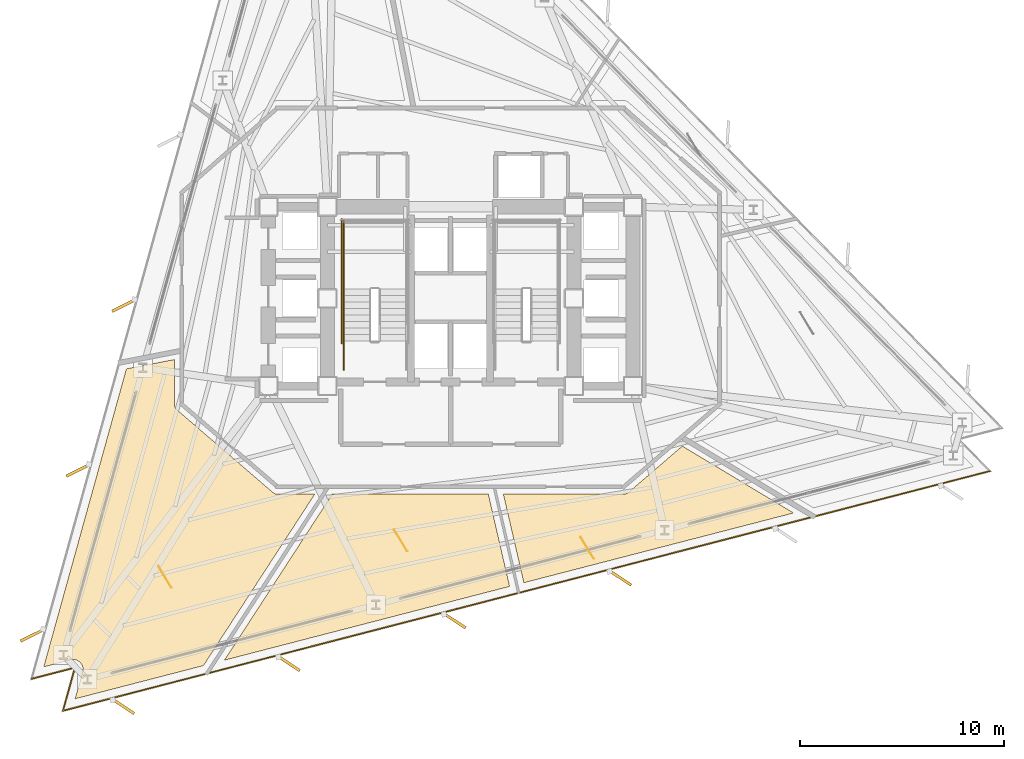
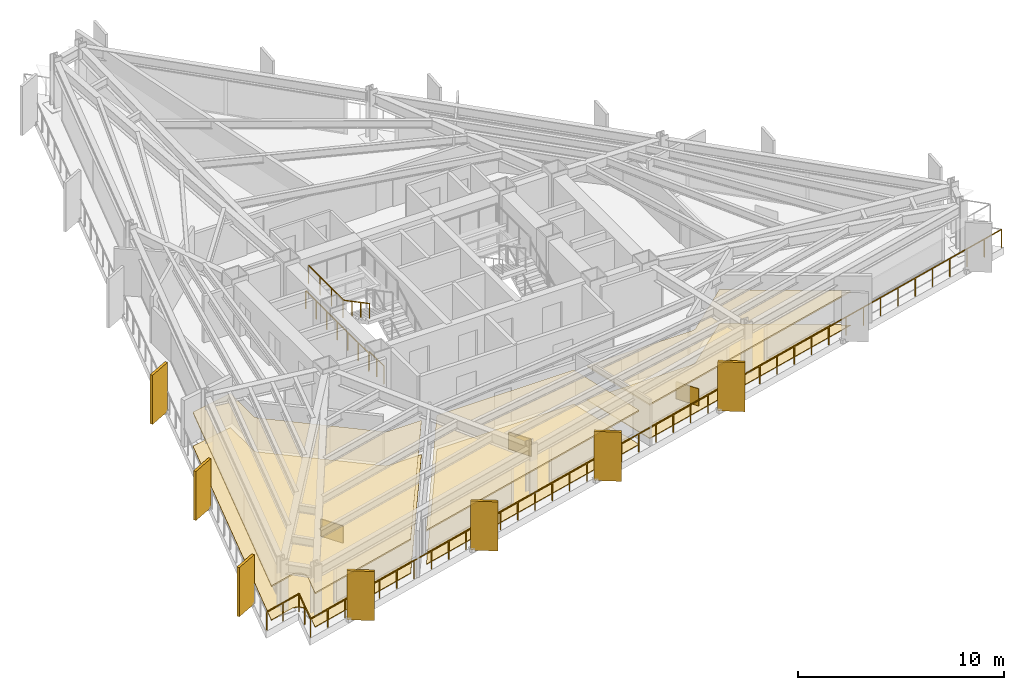
# One storey, part 9 of 11: 9 coverings, 7 shading devices, 5 railings.
"""IFC4 building model written with IfcOpenShell, lengths in metres."""

from ifc_helpers import new_model, si_unit, direction, frame, origin, origin_2d, place, context, subcontext, project, spatial, polyline, rectangle, outline, extrude, material, layer, layer_set, type_object, element, save


model = new_model("IFC4")

# Units and contexts
model_context = context("Model", 3, precision=1e-05, world=origin(), true_north=direction((0.0, 1.0)))
body_context = subcontext(model_context, "Body", "Model", "MODEL_VIEW")
ifc_project = project(units=[si_unit("LENGTHUNIT", "METRE"), si_unit("AREAUNIT", "SQUARE_METRE"), si_unit("VOLUMEUNIT", "CUBIC_METRE"), si_unit("PLANEANGLEUNIT", "RADIAN"), si_unit("MASSUNIT", "GRAM", prefix="KILO")], contexts=[model_context])

# Site, building, storey
site_placement = place(None, origin())
site = spatial("IfcSite", under=ifc_project, at=site_placement, CompositionType="ELEMENT")
building_placement = place(site_placement, origin())
building = spatial("IfcBuilding", under=site, at=building_placement, Name="Rocaltana Carrier Exchange", CompositionType="ELEMENT")
storey_placement = place(building_placement, frame((0.0, 0.0, 76.47998046875)))
storey = spatial("IfcBuildingStorey", under=building, at=storey_placement, Name="L23", CompositionType="ELEMENT", Elevation=76.47998046875)

# Coverings
ifc_material_1 = material(Name="Honed Bogota Sandstone Tile", Category="masonry")
ifc_layer_1 = layer(ifc_material_1, 0.0400390625)
ifc_layer_set_1 = layer_set([ifc_layer_1], Name="Honed Bogota Sandstone Tile")
covering_type_1 = type_object("IfcCoveringType", Name="Honed Stone Lobby Flooring 40", PredefinedType="FLOORING", material=ifc_layer_set_1)
covering_1_placement = place(storey_placement, origin())
element("IfcCovering", 1, at=covering_1_placement, inside=storey, type_object=covering_type_1, Name="L23 Peering Conference Room Finish Floor", PredefinedType="FLOORING", context=body_context, shape_type="SweptSolid", body=[
    extrude(outline(polyline([(-18.068359375, -18.33837890625), (-18.06494140625, -18.324951171875), (-18.060546875, -18.305419921875), (-18.055908203125, -18.278076171875), (-18.05322265625, -18.25830078125), (-18.051513671875, -18.230224609375), (-18.05078125, -18.21044921875), (-18.0517578125, -18.1826171875), (-18.05322265625, -18.16259765625), (-18.056884765625, -18.135009765625), (-18.060302734375, -18.115234375), (-18.066650390625, -18.088134765625), (-18.072265625, -18.069091796875), (-18.081298828125, -18.04248046875), (-18.08837890625, -18.02392578125), (-18.10009765625, -17.99853515625), (-18.109375, -17.98095703125), (-18.123291015625, -17.956787109375), (-18.13427734375, -17.940185546875), (-18.150634765625, -17.91748046875), (-18.1630859375, -17.90185546875), (-18.181640625, -17.881103515625), (-18.195556640625, -17.86669921875), (-18.216064453125, -17.847900390625), (-18.2314453125, -17.835205078125), (-18.25390625, -17.818359375), (-18.270263671875, -17.80712890625), (-18.294189453125, -17.792724609375), (-18.311767578125, -17.783203125), (-18.3369140625, -17.771240234375), (-18.355224609375, -17.763671875), (-18.381591796875, -17.754150390625), (-18.400634765625, -17.748291015625), (-18.427734375, -17.741455078125), (-18.447265625, -17.73779296875), (-18.474853515625, -17.733642578125), (-18.49462890625, -17.731689453125), (-18.522705078125, -17.73046875), (-18.54248046875, -17.73046875), (-18.5703125, -17.73193359375), (-18.59033203125, -17.73388671875), (-18.617919921875, -17.73828125), (-18.637451171875, -17.7421875), (-18.65087890625, -17.74560546875), (-19.97607421875, -18.088134765625), (-15.919677734375, -3.461181640625), (-13.56005859375, -3.00244140625), (-13.56005859375, -5.199951171875), (-13.559814453125, -5.21337890625), (-13.559326171875, -5.220947265625), (-13.556884765625, -5.24755859375), (-13.5556640625, -5.255126953125), (-13.550537109375, -5.281494140625), (-13.548828125, -5.288818359375), (-13.541259765625, -5.314453125), (-13.538818359375, -5.32177734375), (-13.52880859375, -5.346435546875), (-13.525634765625, -5.353515625), (-13.51318359375, -5.377197265625), (-13.509521484375, -5.3837890625), (-13.4951171875, -5.40625), (-13.490478515625, -5.41259765625), (-13.47412109375, -5.433349609375), (-13.468994140625, -5.439208984375), (-13.450439453125, -5.45849609375), (-13.44482421875, -5.4638671875), (-13.43505859375, -5.47265625), (-8.735107421875, -9.522705078125), (-8.72412109375, -9.53173828125), (-8.717529296875, -9.53662109375), (-8.6943359375, -9.552978515625), (-8.6875, -9.557373046875), (-8.66259765625, -9.571044921875), (-8.6552734375, -9.57470703125), (-8.629150390625, -9.5859375), (-8.62158203125, -9.5888671875), (-8.594482421875, -9.597412109375), (-8.58642578125, -9.599365234375), (-8.55859375, -9.60498046875), (-8.550537109375, -9.606201171875), (-8.522216796875, -9.609130859375), (-8.51416015625, -9.609619140625), (-8.5, -9.610107421875), (-6.670166015625, -9.610107421875), (-12.13720703125, -18.02880859375), (-18.43408203125, -19.6572265625), (-18.068359375, -18.33837890625)])), origin(), (0.0, 0.0, 1.0), 0.0400390625),
])
covering_2_placement = place(storey_placement, origin())
element("IfcCovering", 2, at=covering_2_placement, inside=storey, type_object=covering_type_1, Name="L23 Incident Briefing Room Finish Floor", PredefinedType="FLOORING", context=body_context, shape_type="SweptSolid", body=[
    extrude(outline(polyline([(-11.10546875, -17.761962890625), (-5.8115234375, -9.610107421875), (1.84912109375, -9.610107421875), (2.895263671875, -14.14111328125), (-11.10546875, -17.761962890625)])), origin(), (0.0, 0.0, 1.0), 0.0400390625),
])
covering_3_placement = place(storey_placement, origin())
element("IfcCovering", 3, at=covering_3_placement, inside=storey, type_object=covering_type_1, Name="L23 Peering Conference Room Finish Floor", PredefinedType="FLOORING", context=body_context, shape_type="SweptSolid", body=[
    extrude(outline(polyline([(3.592529296875, -13.960693359375), (2.588134765625, -9.610107421875), (8.5, -9.610107421875), (8.51416015625, -9.609619140625), (8.522216796875, -9.609130859375), (8.550537109375, -9.606201171875), (8.55859375, -9.60498046875), (8.58642578125, -9.599365234375), (8.594482421875, -9.597412109375), (8.62158203125, -9.5888671875), (8.629150390625, -9.5859375), (8.6552734375, -9.57470703125), (8.66259765625, -9.571044921875), (8.6875, -9.557373046875), (8.6943359375, -9.552978515625), (8.717529296875, -9.53662109375), (8.72412109375, -9.53173828125), (8.735107421875, -9.522705078125), (11.3701171875, -7.251953125), (16.835693359375, -10.535888671875), (3.592529296875, -13.960693359375)])), origin(), (0.0, 0.0, 1.0), 0.0400390625),
])
ifc_material_2 = material(Name="Anodised Aluminium 6063-T6", Category="aluminium")
ifc_layer_2 = layer(ifc_material_2, 0.0849609375)
ifc_layer_set_2 = layer_set([ifc_layer_2], Name="Anodised Aluminium 6063-T6")
covering_type_2 = type_object("IfcCoveringType", Name="Linear Baffle Acoustic Ceiling 85", PredefinedType="CEILING", material=ifc_layer_set_2)
covering_4_placement = place(storey_placement, frame((0.0, 0.0, 1.972900390625)))
element("IfcCovering", 4, at=covering_4_placement, inside=storey, type_object=covering_type_2, Name="L23 Peering Conference Room Acoustic Ceiling", PredefinedType="CEILING", context=body_context, shape_type="SweptSolid", body=[
    extrude(outline(polyline([(-18.068359375, -18.33837890625), (-18.06494140625, -18.324951171875), (-18.060546875, -18.305419921875), (-18.055908203125, -18.278076171875), (-18.05322265625, -18.25830078125), (-18.051513671875, -18.230224609375), (-18.05078125, -18.21044921875), (-18.0517578125, -18.1826171875), (-18.05322265625, -18.16259765625), (-18.056884765625, -18.135009765625), (-18.060302734375, -18.115234375), (-18.066650390625, -18.088134765625), (-18.072265625, -18.069091796875), (-18.081298828125, -18.04248046875), (-18.08837890625, -18.02392578125), (-18.10009765625, -17.99853515625), (-18.109375, -17.98095703125), (-18.123291015625, -17.956787109375), (-18.13427734375, -17.940185546875), (-18.150634765625, -17.91748046875), (-18.1630859375, -17.90185546875), (-18.181640625, -17.881103515625), (-18.195556640625, -17.86669921875), (-18.216064453125, -17.847900390625), (-18.2314453125, -17.835205078125), (-18.25390625, -17.818359375), (-18.270263671875, -17.80712890625), (-18.294189453125, -17.792724609375), (-18.311767578125, -17.783203125), (-18.3369140625, -17.771240234375), (-18.355224609375, -17.763671875), (-18.381591796875, -17.754150390625), (-18.400634765625, -17.748291015625), (-18.427734375, -17.741455078125), (-18.447265625, -17.73779296875), (-18.474853515625, -17.733642578125), (-18.49462890625, -17.731689453125), (-18.522705078125, -17.73046875), (-18.54248046875, -17.73046875), (-18.5703125, -17.73193359375), (-18.59033203125, -17.73388671875), (-18.617919921875, -17.73828125), (-18.637451171875, -17.7421875), (-18.65087890625, -17.74560546875), (-19.97607421875, -18.088134765625), (-15.919677734375, -3.461181640625), (-13.56005859375, -3.00244140625), (-13.56005859375, -5.199951171875), (-13.559814453125, -5.21337890625), (-13.559326171875, -5.220947265625), (-13.556884765625, -5.24755859375), (-13.5556640625, -5.255126953125), (-13.550537109375, -5.281494140625), (-13.548828125, -5.288818359375), (-13.541259765625, -5.314453125), (-13.538818359375, -5.32177734375), (-13.52880859375, -5.346435546875), (-13.525634765625, -5.353515625), (-13.51318359375, -5.377197265625), (-13.509521484375, -5.3837890625), (-13.4951171875, -5.40625), (-13.490478515625, -5.41259765625), (-13.47412109375, -5.433349609375), (-13.468994140625, -5.439208984375), (-13.450439453125, -5.45849609375), (-13.44482421875, -5.4638671875), (-13.43505859375, -5.47265625), (-8.735107421875, -9.522705078125), (-8.72412109375, -9.53173828125), (-8.717529296875, -9.53662109375), (-8.6943359375, -9.552978515625), (-8.6875, -9.557373046875), (-8.66259765625, -9.571044921875), (-8.6552734375, -9.57470703125), (-8.629150390625, -9.5859375), (-8.62158203125, -9.5888671875), (-8.594482421875, -9.597412109375), (-8.58642578125, -9.599365234375), (-8.55859375, -9.60498046875), (-8.550537109375, -9.606201171875), (-8.522216796875, -9.609130859375), (-8.51416015625, -9.609619140625), (-8.5, -9.610107421875), (-6.670166015625, -9.610107421875), (-12.13720703125, -18.02880859375), (-18.43408203125, -19.6572265625), (-18.068359375, -18.33837890625)])), origin(), (0.0, 0.0, 1.0), 0.085205078125),
])
covering_5_placement = place(storey_placement, frame((0.0, 0.0, 1.972900390625)))
element("IfcCovering", 5, at=covering_5_placement, inside=storey, type_object=covering_type_2, Name="L23 Incident Briefing Room Acoustic Ceiling", PredefinedType="CEILING", context=body_context, shape_type="SweptSolid", body=[
    extrude(outline(polyline([(-11.10546875, -17.761962890625), (-5.8115234375, -9.610107421875), (1.84912109375, -9.610107421875), (2.895263671875, -14.14111328125), (-11.10546875, -17.761962890625)])), origin(), (0.0, 0.0, 1.0), 0.085205078125),
])
covering_6_placement = place(storey_placement, frame((0.0, 0.0, 1.972900390625)))
element("IfcCovering", 6, at=covering_6_placement, inside=storey, type_object=covering_type_2, Name="L23 Peering Conference Room Acoustic Ceiling", PredefinedType="CEILING", context=body_context, shape_type="SweptSolid", body=[
    extrude(outline(polyline([(3.592529296875, -13.960693359375), (2.588134765625, -9.610107421875), (8.5, -9.610107421875), (8.51416015625, -9.609619140625), (8.522216796875, -9.609130859375), (8.550537109375, -9.606201171875), (8.55859375, -9.60498046875), (8.58642578125, -9.599365234375), (8.594482421875, -9.597412109375), (8.62158203125, -9.5888671875), (8.629150390625, -9.5859375), (8.6552734375, -9.57470703125), (8.66259765625, -9.571044921875), (8.6875, -9.557373046875), (8.6943359375, -9.552978515625), (8.717529296875, -9.53662109375), (8.72412109375, -9.53173828125), (8.735107421875, -9.522705078125), (11.3701171875, -7.251953125), (16.835693359375, -10.535888671875), (3.592529296875, -13.960693359375)])), origin(), (0.0, 0.0, 1.0), 0.085205078125),
])

# Railings
ifc_material_3 = material(Name="Brushed Architectural Stainless Tube", Category="steel")
ifc_layer_3 = layer(ifc_material_3, 0.048095703125)
ifc_layer_set_3 = layer_set([ifc_layer_3], Name="Brushed Architectural Stainless Tube")
railing_type_1 = type_object("IfcRailingType", Name="Stair Wall Handrail 920", PredefinedType="HANDRAIL", material=ifc_layer_set_3)
railing_1_placement = place(storey_placement, frame((-5.25, 0.4599609375, 1.68896484375)))
element("IfcRailing", 7, at=railing_1_placement, inside=storey, type_object=railing_type_1, Name="L23 ST-1 stair handrail 2", PredefinedType="HANDRAIL", context=body_context, shape_type="SweptSolid", body=[
    extrude(rectangle(XDim=0.048095703125, YDim=0.048095703125, at=origin_2d()), frame((0.0, 0.0, 0.8759765625), z_axis=(0.0, -0.884394423565, 0.466740295633), x_axis=(1.0, 0.0, 0.0)), (0.0, 0.0, 1.0), 2.894775390625),
    extrude(rectangle(XDim=0.0419921875, YDim=0.0419921875, at=origin_2d()), origin(), (0.0, 0.0, 1.0), 0.851806640625),
    extrude(rectangle(XDim=0.0419921875, YDim=0.0419921875, at=origin_2d()), frame((0.0, -0.853271484375, 0.450439453125)), (0.0, 0.0, 1.0), 0.851806640625),
    extrude(rectangle(XDim=0.0419921875, YDim=0.0419921875, at=origin_2d()), frame((0.0, -1.706787109375, 0.900634765625)), (0.0, 0.0, 1.0), 0.851806640625),
    extrude(rectangle(XDim=0.0419921875, YDim=0.0419921875, at=origin_2d()), frame((0.0, -2.56005859375, 1.35107421875)), (0.0, 0.0, 1.0), 0.851806640625),
])
ifc_material_4 = material(Name="Powder-Coated Aluminium 6063-T6", Category="aluminium")
ifc_layer_4 = layer(ifc_material_4, 0.048095703125)
ifc_layer_set_4 = layer_set([ifc_layer_4], Name="Powder-Coated Aluminium 6063-T6")
railing_type_2 = type_object("IfcRailingType", Name="Stair Well Guardrail 1100", PredefinedType="GUARDRAIL", material=ifc_layer_set_4)
railing_2_placement = place(storey_placement, frame((-5.25, 0.4599609375, 1.52001953125)))
element("IfcRailing", 8, at=railing_2_placement, inside=storey, type_object=railing_type_2, Name="L23 ST-1 stair guard 4", PredefinedType="GUARDRAIL", context=body_context, shape_type="SweptSolid", body=[
    extrude(rectangle(XDim=0.048095703125, YDim=0.048095703125, at=origin_2d()), frame((0.0, 0.0, 1.076171875), z_axis=(0.0, 1.0, 0.0), x_axis=(-1.0, 0.0, 0.0)), (0.0, 0.0, 1.0), 3.340087890625),
    extrude(rectangle(XDim=0.0419921875, YDim=0.0419921875, at=origin_2d()), origin(), (0.0, 0.0, 1.0), 1.052001953125),
    extrude(rectangle(XDim=0.0419921875, YDim=0.0419921875, at=origin_2d()), frame((0.0, 1.11328125, 0.0)), (0.0, 0.0, 1.0), 1.052001953125),
    extrude(rectangle(XDim=0.0419921875, YDim=0.0419921875, at=origin_2d()), frame((0.0, 2.226806640625, 0.0)), (0.0, 0.0, 1.0), 1.052001953125),
    extrude(rectangle(XDim=0.0419921875, YDim=0.0419921875, at=origin_2d()), frame((0.0, 3.340087890625, 0.0)), (0.0, 0.0, 1.0), 1.052001953125),
])
railing_3_placement = place(storey_placement, frame((-5.25, -3.5, 0.0)))
element("IfcRailing", 9, at=railing_3_placement, inside=storey, type_object=railing_type_2, Name="L23 ST-1 stair guard 9", PredefinedType="GUARDRAIL", context=body_context, shape_type="SweptSolid", body=[
    extrude(rectangle(XDim=0.048095703125, YDim=0.048095703125, at=origin_2d()), frame((0.0, 0.0, 1.076171875), z_axis=(0.0, 1.0, 0.0), x_axis=(-1.0, 0.0, 0.0)), (0.0, 0.0, 1.0), 1.39990234375),
    extrude(rectangle(XDim=0.0419921875, YDim=0.0419921875, at=origin_2d()), origin(), (0.0, 0.0, 1.0), 1.052001953125),
    extrude(rectangle(XDim=0.0419921875, YDim=0.0419921875, at=origin_2d()), frame((0.0, 0.699951171875, 0.0)), (0.0, 0.0, 1.0), 1.052001953125),
    extrude(rectangle(XDim=0.0419921875, YDim=0.0419921875, at=origin_2d()), frame((0.0, 1.39990234375, 0.0)), (0.0, 0.0, 1.0), 1.052001953125),
])
railing_4_placement = place(storey_placement, frame((-5.35009765625, -2.199951171875, 0.0)))
element("IfcRailing", 10, at=railing_4_placement, inside=storey, type_object=railing_type_2, Name="L23 ST-1 stair guard 11", PredefinedType="GUARDRAIL", context=body_context, shape_type="SweptSolid", body=[
    extrude(rectangle(XDim=0.048095703125, YDim=0.048095703125, at=origin_2d()), frame((0.0, 0.0, 1.076171875), z_axis=(0.0, 1.0, 0.0), x_axis=(-1.0, 0.0, 0.0)), (0.0, 0.0, 1.0), 6.099853515625),
    extrude(rectangle(XDim=0.0419921875, YDim=0.0419921875, at=origin_2d()), origin(), (0.0, 0.0, 1.0), 1.052001953125),
    extrude(rectangle(XDim=0.0419921875, YDim=0.0419921875, at=origin_2d()), frame((0.0, 1.0166015625, 0.0)), (0.0, 0.0, 1.0), 1.052001953125),
    extrude(rectangle(XDim=0.0419921875, YDim=0.0419921875, at=origin_2d()), frame((0.0, 2.033203125, 0.0)), (0.0, 0.0, 1.0), 1.052001953125),
    extrude(rectangle(XDim=0.0419921875, YDim=0.0419921875, at=origin_2d()), frame((0.0, 3.0498046875, 0.0)), (0.0, 0.0, 1.0), 1.052001953125),
    extrude(rectangle(XDim=0.0419921875, YDim=0.0419921875, at=origin_2d()), frame((0.0, 4.066650390625, 0.0)), (0.0, 0.0, 1.0), 1.052001953125),
    extrude(rectangle(XDim=0.0419921875, YDim=0.0419921875, at=origin_2d()), frame((0.0, 5.083251953125, 0.0)), (0.0, 0.0, 1.0), 1.052001953125),
    extrude(rectangle(XDim=0.0419921875, YDim=0.0419921875, at=origin_2d()), frame((0.0, 6.099853515625, 0.0)), (0.0, 0.0, 1.0), 1.052001953125),
])

# Coverings
ifc_material_5 = material(Name="Honed Piedra Muneca Sandstone", Category="masonry")
ifc_layer_5 = layer(ifc_material_5, 0.034912109375)
ifc_layer_set_5 = layer_set([ifc_layer_5], Name="Honed Piedra Muneca Sandstone")
covering_type_3 = type_object("IfcCoveringType", Name="Stone Facade Cladding 35", PredefinedType="CLADDING", material=ifc_layer_set_5)
for number, where, z_axis, x_axis, name in (
    (11, (-14.02880859375, -13.670166015625, 0.0), (0.0, 0.0, 1.0), (-0.51503807491, 0.857167300702, 0.0), "L23 Stone Facade Cladding Panel 1"),
    (12, (-2.455322265625, -11.87548828125, 0.0), (0.0, 0.0, 1.0), (-0.51503807491, 0.857167300702, 0.0), "L23 Stone Facade Cladding Panel 2"),
    (13, (6.705810546875, -12.248291015625, 0.0), (0.0, 0.0, 1.0), (-0.51503807491, 0.857167300702, 0.0), "L23 Stone Facade Cladding Panel 3"),
):
    element("IfcCovering", number, at=place(storey_placement, frame(where, z_axis=z_axis, x_axis=x_axis)), inside=storey, type_object=covering_type_3, Name=name, PredefinedType="CLADDING", context=body_context, shape_type="SweptSolid", body=[
        extrude(rectangle(XDim=1.25, YDim=0.034912109375, at=origin_2d()), origin(), (0.0, 0.0, 1.0), 1.050048828125),
    ])

# Shading devices
ifc_material_6 = material(Name="Honed Bogota Sandstone & Concrete C45/55", Category="masonry")
ifc_layer_6 = layer(ifc_material_6, 0.139892578125)
ifc_layer_set_6 = layer_set([ifc_layer_6], Name="Honed Bogota Sandstone & Concrete C45/55")
shading_device_type = type_object("IfcShadingDeviceType", Name="Vertical Sandstone Shading Fin 1320x140", PredefinedType="USERDEFINED", material=ifc_layer_set_6)
for number, where, z_axis, x_axis, name in (
    (14, (-16.031005859375, -0.34326171875, -0.1201171875), (0.0, 0.0, 1.0), (-0.894934361602, -0.44619781311, 0.0), "L23 Sandstone Vertical Fin F2-04"),
    (15, (-18.27587890625, -8.437744140625, -0.1201171875), (0.0, 0.0, 1.0), (-0.894934361602, -0.44619781311, 0.0), "L23 Sandstone Vertical Fin F2-05"),
    (16, (-20.520751953125, -16.5322265625, -0.1201171875), (0.0, 0.0, 1.0), (-0.894934361602, -0.44619781311, 0.0), "L23 Sandstone Vertical Fin F2-06"),
    (17, (-16.08447265625, -20.021484375, -0.1201171875), (0.0, 0.0, 1.0), (0.833885822067, -0.551936985312, 0.0), "L23 Sandstone Vertical Fin F3-01"),
    (18, (-7.9521484375, -17.918212890625, -0.1201171875), (0.0, 0.0, 1.0), (0.833885822067, -0.551936985312, 0.0), "L23 Sandstone Vertical Fin F3-02"),
    (19, (0.180419921875, -15.81494140625, -0.1201171875), (0.0, 0.0, 1.0), (0.833885822067, -0.551936985312, 0.0), "L23 Sandstone Vertical Fin F3-03"),
    (20, (8.312744140625, -13.7119140625, -0.1201171875), (0.0, 0.0, 1.0), (0.833885822067, -0.551936985312, 0.0), "L23 Sandstone Vertical Fin F3-04"),
):
    element("IfcShadingDevice", number, at=place(storey_placement, frame(where, z_axis=z_axis, x_axis=x_axis)), inside=storey, type_object=shading_device_type, Name=name, ObjectType="FIN", PredefinedType="USERDEFINED", context=body_context, shape_type="SweptSolid", body=[
        extrude(rectangle(XDim=1.320068359375, YDim=0.139892578125, at=origin_2d()), origin(), (0.0, 0.0, 1.0), 2.907958984375),
    ])

# Railing
ifc_material_7 = material(Name="Powder-Coated Aluminium 6063-T6", Category="aluminium")
ifc_layer_7 = layer(ifc_material_7, 0.06005859375)
ifc_layer_set_7 = layer_set([ifc_layer_7], Name="Powder-Coated Aluminium 6063-T6")
railing_type_3 = type_object("IfcRailingType", Name="Wind-Floor & Terrace Perimeter Guardrail 1100", PredefinedType="GUARDRAIL", material=ifc_layer_set_7)
railing_5_placement = place(storey_placement, frame((26.46240234375, -8.47998046875, 0.0)))
element("IfcRailing", 21, at=railing_5_placement, inside=storey, type_object=railing_type_3, Name="L23 Perimeter Balcony Guardrail 1", PredefinedType="GUARDRAIL", context=body_context, shape_type="SweptSolid", body=[
    extrude(rectangle(XDim=0.048095703125, YDim=0.048095703125, at=origin_2d()), frame((0.0, 0.0, 1.076171875), z_axis=(-0.968146868185, -0.250382989886, 0.0), x_axis=(0.250382989886, -0.968146868185, 0.0)), (0.0, 0.0, 1.0), 46.992431640625),
    extrude(rectangle(XDim=0.048095703125, YDim=0.048095703125, at=origin_2d()), frame((-45.49560546875, -11.76611328125, 1.076171875), z_axis=(0.267237446942, 0.96363071088, 0.0), x_axis=(-0.96363071088, 0.267237446942, 0.0)), (0.0, 0.0, 1.0), 2.199951171875),
    extrude(rectangle(XDim=0.048095703125, YDim=0.048095703125, at=origin_2d()), frame((-44.90771484375, -9.646240234375, 1.076171875), z_axis=(-0.968152477167, -0.250361300835, 0.0), x_axis=(0.250361300835, -0.968152477167, 0.0)), (0.0, 0.0, 1.0), 2.199951171875),
    extrude(rectangle(XDim=0.0419921875, YDim=0.0419921875, at=origin_2d()), origin(), (0.0, 0.0, 1.0), 1.052001953125),
    extrude(rectangle(XDim=0.0419921875, YDim=0.0419921875, at=origin_2d()), frame((-1.137451171875, -0.294189453125, 0.0)), (0.0, 0.0, 1.0), 1.052001953125),
    extrude(rectangle(XDim=0.0419921875, YDim=0.0419921875, at=origin_2d()), frame((-2.27490234375, -0.58837890625, 0.0)), (0.0, 0.0, 1.0), 1.052001953125),
    extrude(rectangle(XDim=0.0419921875, YDim=0.0419921875, at=origin_2d()), frame((-3.412109375, -0.882568359375, 0.0)), (0.0, 0.0, 1.0), 1.052001953125),
    extrude(rectangle(XDim=0.0419921875, YDim=0.0419921875, at=origin_2d()), frame((-4.549560546875, -1.176513671875, 0.0)), (0.0, 0.0, 1.0), 1.052001953125),
    extrude(rectangle(XDim=0.0419921875, YDim=0.0419921875, at=origin_2d()), frame((-5.68701171875, -1.470703125, 0.0)), (0.0, 0.0, 1.0), 1.052001953125),
    extrude(rectangle(XDim=0.0419921875, YDim=0.0419921875, at=origin_2d()), frame((-6.82421875, -1.764892578125, 0.0)), (0.0, 0.0, 1.0), 1.052001953125),
    extrude(rectangle(XDim=0.0419921875, YDim=0.0419921875, at=origin_2d()), frame((-7.961669921875, -2.05908203125, 0.0)), (0.0, 0.0, 1.0), 1.052001953125),
    extrude(rectangle(XDim=0.0419921875, YDim=0.0419921875, at=origin_2d()), frame((-9.09912109375, -2.353271484375, 0.0)), (0.0, 0.0, 1.0), 1.052001953125),
    extrude(rectangle(XDim=0.0419921875, YDim=0.0419921875, at=origin_2d()), frame((-10.236572265625, -2.6474609375, 0.0)), (0.0, 0.0, 1.0), 1.052001953125),
    extrude(rectangle(XDim=0.0419921875, YDim=0.0419921875, at=origin_2d()), frame((-11.3740234375, -2.94140625, 0.0)), (0.0, 0.0, 1.0), 1.052001953125),
    extrude(rectangle(XDim=0.0419921875, YDim=0.0419921875, at=origin_2d()), frame((-12.51123046875, -3.235595703125, 0.0)), (0.0, 0.0, 1.0), 1.052001953125),
    extrude(rectangle(XDim=0.0419921875, YDim=0.0419921875, at=origin_2d()), frame((-13.648681640625, -3.52978515625, 0.0)), (0.0, 0.0, 1.0), 1.052001953125),
    extrude(rectangle(XDim=0.0419921875, YDim=0.0419921875, at=origin_2d()), frame((-14.7861328125, -3.823974609375, 0.0)), (0.0, 0.0, 1.0), 1.052001953125),
    extrude(rectangle(XDim=0.0419921875, YDim=0.0419921875, at=origin_2d()), frame((-15.92333984375, -4.1181640625, 0.0)), (0.0, 0.0, 1.0), 1.052001953125),
    extrude(rectangle(XDim=0.0419921875, YDim=0.0419921875, at=origin_2d()), frame((-17.060791015625, -4.412353515625, 0.0)), (0.0, 0.0, 1.0), 1.052001953125),
    extrude(rectangle(XDim=0.0419921875, YDim=0.0419921875, at=origin_2d()), frame((-18.1982421875, -4.70654296875, 0.0)), (0.0, 0.0, 1.0), 1.052001953125),
    extrude(rectangle(XDim=0.0419921875, YDim=0.0419921875, at=origin_2d()), frame((-19.335693359375, -5.00048828125, 0.0)), (0.0, 0.0, 1.0), 1.052001953125),
    extrude(rectangle(XDim=0.0419921875, YDim=0.0419921875, at=origin_2d()), frame((-20.47314453125, -5.294677734375, 0.0)), (0.0, 0.0, 1.0), 1.052001953125),
    extrude(rectangle(XDim=0.0419921875, YDim=0.0419921875, at=origin_2d()), frame((-21.6103515625, -5.5888671875, 0.0)), (0.0, 0.0, 1.0), 1.052001953125),
    extrude(rectangle(XDim=0.0419921875, YDim=0.0419921875, at=origin_2d()), frame((-22.747802734375, -5.883056640625, 0.0)), (0.0, 0.0, 1.0), 1.052001953125),
    extrude(rectangle(XDim=0.0419921875, YDim=0.0419921875, at=origin_2d()), frame((-23.88525390625, -6.17724609375, 0.0)), (0.0, 0.0, 1.0), 1.052001953125),
    extrude(rectangle(XDim=0.0419921875, YDim=0.0419921875, at=origin_2d()), frame((-25.022705078125, -6.471435546875, 0.0)), (0.0, 0.0, 1.0), 1.052001953125),
    extrude(rectangle(XDim=0.0419921875, YDim=0.0419921875, at=origin_2d()), frame((-26.159912109375, -6.765625, 0.0)), (0.0, 0.0, 1.0), 1.052001953125),
    extrude(rectangle(XDim=0.0419921875, YDim=0.0419921875, at=origin_2d()), frame((-27.29736328125, -7.0595703125, 0.0)), (0.0, 0.0, 1.0), 1.052001953125),
    extrude(rectangle(XDim=0.0419921875, YDim=0.0419921875, at=origin_2d()), frame((-28.434814453125, -7.353759765625, 0.0)), (0.0, 0.0, 1.0), 1.052001953125),
    extrude(rectangle(XDim=0.0419921875, YDim=0.0419921875, at=origin_2d()), frame((-29.572265625, -7.64794921875, 0.0)), (0.0, 0.0, 1.0), 1.052001953125),
    extrude(rectangle(XDim=0.0419921875, YDim=0.0419921875, at=origin_2d()), frame((-30.70947265625, -7.942138671875, 0.0)), (0.0, 0.0, 1.0), 1.052001953125),
    extrude(rectangle(XDim=0.0419921875, YDim=0.0419921875, at=origin_2d()), frame((-31.846923828125, -8.236328125, 0.0)), (0.0, 0.0, 1.0), 1.052001953125),
    extrude(rectangle(XDim=0.0419921875, YDim=0.0419921875, at=origin_2d()), frame((-32.984375, -8.530517578125, 0.0)), (0.0, 0.0, 1.0), 1.052001953125),
    extrude(rectangle(XDim=0.0419921875, YDim=0.0419921875, at=origin_2d()), frame((-34.12158203125, -8.82470703125, 0.0)), (0.0, 0.0, 1.0), 1.052001953125),
    extrude(rectangle(XDim=0.0419921875, YDim=0.0419921875, at=origin_2d()), frame((-35.259033203125, -9.11865234375, 0.0)), (0.0, 0.0, 1.0), 1.052001953125),
    extrude(rectangle(XDim=0.0419921875, YDim=0.0419921875, at=origin_2d()), frame((-36.396484375, -9.412841796875, 0.0)), (0.0, 0.0, 1.0), 1.052001953125),
    extrude(rectangle(XDim=0.0419921875, YDim=0.0419921875, at=origin_2d()), frame((-37.533935546875, -9.70703125, 0.0)), (0.0, 0.0, 1.0), 1.052001953125),
    extrude(rectangle(XDim=0.0419921875, YDim=0.0419921875, at=origin_2d()), frame((-38.67138671875, -10.001220703125, 0.0)), (0.0, 0.0, 1.0), 1.052001953125),
    extrude(rectangle(XDim=0.0419921875, YDim=0.0419921875, at=origin_2d()), frame((-39.80859375, -10.29541015625, 0.0)), (0.0, 0.0, 1.0), 1.052001953125),
    extrude(rectangle(XDim=0.0419921875, YDim=0.0419921875, at=origin_2d()), frame((-40.946044921875, -10.589599609375, 0.0)), (0.0, 0.0, 1.0), 1.052001953125),
    extrude(rectangle(XDim=0.0419921875, YDim=0.0419921875, at=origin_2d()), frame((-42.08349609375, -10.883544921875, 0.0)), (0.0, 0.0, 1.0), 1.052001953125),
    extrude(rectangle(XDim=0.0419921875, YDim=0.0419921875, at=origin_2d()), frame((-43.220703125, -11.177734375, 0.0)), (0.0, 0.0, 1.0), 1.052001953125),
    extrude(rectangle(XDim=0.0419921875, YDim=0.0419921875, at=origin_2d()), frame((-44.358154296875, -11.471923828125, 0.0)), (0.0, 0.0, 1.0), 1.052001953125),
    extrude(rectangle(XDim=0.0419921875, YDim=0.0419921875, at=origin_2d()), frame((-45.49560546875, -11.76611328125, 0.0)), (0.0, 0.0, 1.0), 1.052001953125),
    extrude(rectangle(XDim=0.0419921875, YDim=0.0419921875, at=origin_2d()), frame((-45.20166015625, -10.7060546875, 0.0)), (0.0, 0.0, 1.0), 1.052001953125),
    extrude(rectangle(XDim=0.0419921875, YDim=0.0419921875, at=origin_2d()), frame((-44.90771484375, -9.646240234375, 0.0)), (0.0, 0.0, 1.0), 1.052001953125),
    extrude(rectangle(XDim=0.0419921875, YDim=0.0419921875, at=origin_2d()), frame((-45.97265625, -9.921630859375, 0.0)), (0.0, 0.0, 1.0), 1.052001953125),
    extrude(rectangle(XDim=0.0419921875, YDim=0.0419921875, at=origin_2d()), frame((-47.03759765625, -10.197021484375, 0.0)), (0.0, 0.0, 1.0), 1.052001953125),
])

save(model, "model.ifc")
